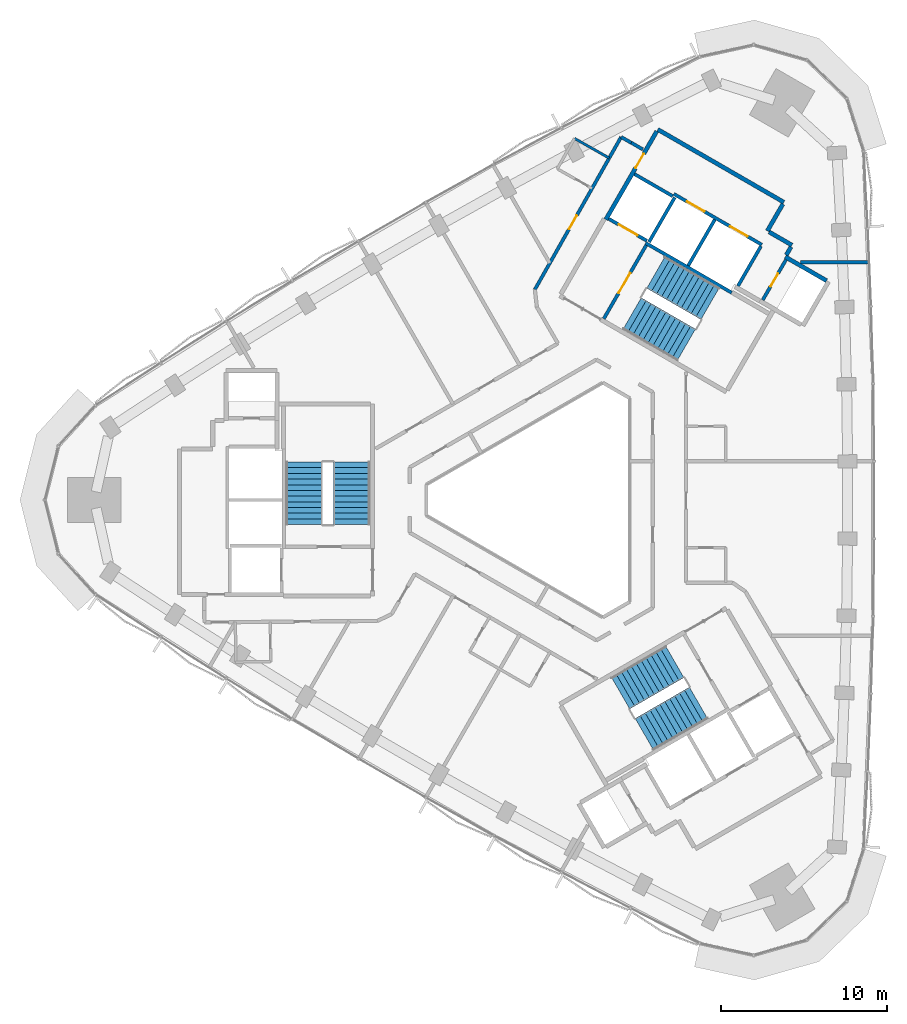
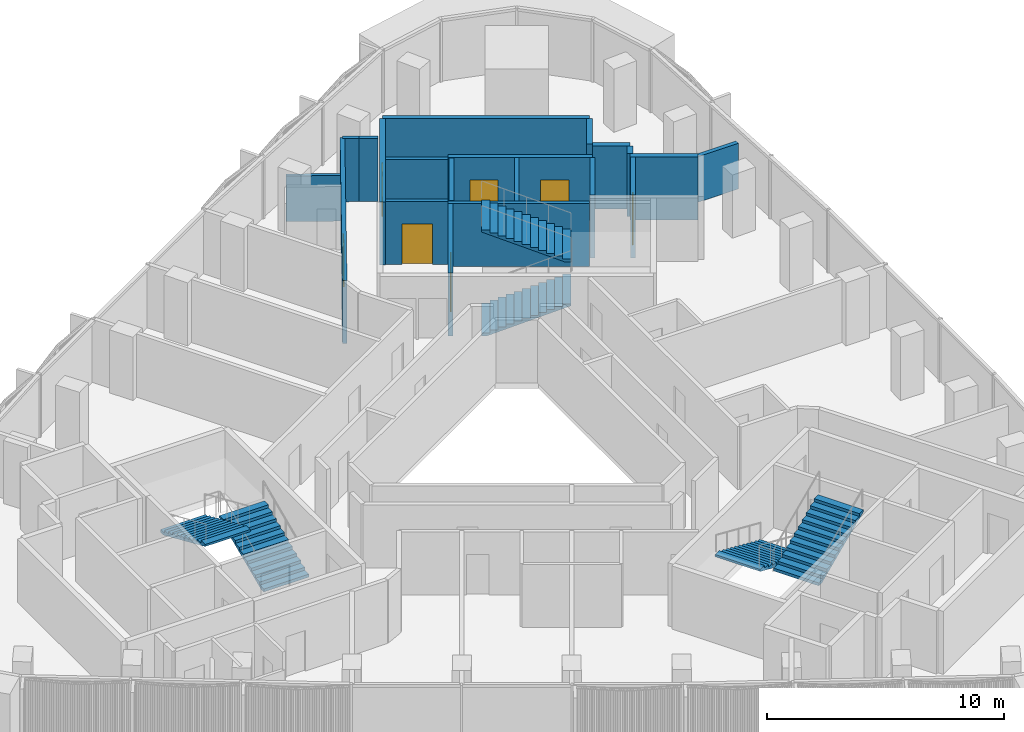
# One storey, part 10 of 13: 20 walls, 7 doors, 6 stair flights, 7 openings, 3 elements without a shape of their own.
"""IFC4 building model written with IfcOpenShell, lengths in metres."""

import ifcopenshell
import ifcopenshell.guid

model = None  # the IFC model being written
_history = None  # IfcOwnerHistory: only IFC2X3 demands one
_inside = {}  # id of a spatial element -> (the spatial element, [elements in it])
_under = {}  # id of a project, library or spatial element -> (it, [spatial elements below it])
_declared = {}  # id of a project -> (the project, [libraries it declares])
_typed = {}  # id of a type object -> (the type object, [elements of that type])
_made_of = {}  # id of a material, layer set ... -> (it, [elements and type objects made of it])


def new_model(schema):
    """Start an empty IFC model of exactly this schema.

    Asked for "IFC4X3", IfcOpenShell would pick the latest addendum, in which some entities
    have other attributes; the version numbers below select the first issue.
    IFC2X3 requires an IfcOwnerHistory on every rooted entity: one is made here for all.
    """
    global model, _history
    if schema == "IFC4X3":
        model = ifcopenshell.file(schema_version=(4, 3, 0, 0))
    else:
        model = ifcopenshell.file(schema=schema)
    _inside.clear()
    _under.clear()
    _declared.clear()
    _typed.clear()
    _made_of.clear()
    _history = None
    if model.schema == "IFC2X3":
        org = make("IfcOrganization", Name="unknown")
        user = make(
            "IfcPersonAndOrganization",
            ThePerson=make("IfcPerson", FamilyName="unknown"),
            TheOrganization=org,
        )
        app = make(
            "IfcApplication",
            ApplicationDeveloper=org,
            Version="unknown",
            ApplicationFullName="unknown",
            ApplicationIdentifier="unknown",
        )
        _history = make(
            "IfcOwnerHistory",
            OwningUser=user,
            OwningApplication=app,
            ChangeAction="ADDED",
            CreationDate=0,
        )
    return model


def make(cls, **values):
    """One entity of the class cls with the attributes given. An attribute that is None is left unset."""
    return model.create_entity(
        cls, **{name: value for name, value in values.items() if value is not None}
    )


def rooted(cls, **values):
    """An entity with a GlobalId (a new one), such as an element, a storey or a relation."""
    return make(cls, GlobalId=ifcopenshell.guid.new(), OwnerHistory=_history, **values)


def si_unit(unit_type, name, prefix=None):
    """IfcSIUnit, for example si_unit("LENGTHUNIT", "METRE", prefix="MILLI")."""
    return make("IfcSIUnit", UnitType=unit_type, Prefix=prefix, Name=name)


def assignment(units):
    """IfcUnitAssignment: the units of a project."""
    return None if units is None else make("IfcUnitAssignment", Units=units)


def point(xyz):
    """IfcCartesianPoint."""
    return None if xyz is None else make("IfcCartesianPoint", Coordinates=xyz)


def direction(xyz):
    """IfcDirection."""
    return None if xyz is None else make("IfcDirection", DirectionRatios=xyz)


def frame(location, z_axis=None, x_axis=None):
    """IfcAxis2Placement3D, a coordinate frame: its origin and axes. An axis left out is left unset."""
    return make(
        "IfcAxis2Placement3D",
        Location=point(location),
        Axis=direction(z_axis),
        RefDirection=direction(x_axis),
    )


def frame_2d(location, x_axis=None):
    """IfcAxis2Placement2D, a coordinate frame in the plane: its origin and x axis."""
    return make(
        "IfcAxis2Placement2D", Location=point(location), RefDirection=direction(x_axis)
    )


def origin():
    """The frame at (0, 0, 0) with its axes left unset."""
    return frame((0.0, 0.0, 0.0))


def place(relative_to, where):
    """IfcLocalPlacement: puts the frame where relative to a parent placement (None: the world)."""
    return make(
        "IfcLocalPlacement", PlacementRelTo=relative_to, RelativePlacement=where
    )


def context(
    kind, dimensions, precision=None, world=None, true_north=None, identifier=None
):
    """IfcGeometricRepresentationContext, for example the 3D "Model" context."""
    return make(
        "IfcGeometricRepresentationContext",
        ContextIdentifier=identifier,
        ContextType=kind,
        CoordinateSpaceDimension=dimensions,
        Precision=precision,
        WorldCoordinateSystem=world,
        TrueNorth=true_north,
    )


def subcontext(parent, identifier, kind, view, scale=None):
    """IfcGeometricRepresentationSubContext, for example "Body" below "Model"."""
    return make(
        "IfcGeometricRepresentationSubContext",
        ContextIdentifier=identifier,
        ContextType=kind,
        ParentContext=parent,
        TargetScale=scale,
        TargetView=view,
    )


def project(units=None, contexts=None):
    """IfcProject with its units and contexts."""
    return rooted(
        "IfcProject",
        Name="project",
        RepresentationContexts=contexts,
        UnitsInContext=assignment(units),
    )


def spatial(cls, under=None, at=None, **own):
    """A site, building, storey or space (cls), placed at a placement, below another one or the project."""
    s = rooted(cls, ObjectPlacement=at, **own)
    if under is not None:
        _under.setdefault(under.id(), (under, []))[1].append(s)
    return s


def polyline(points):
    """IfcPolyline through the points."""
    return make("IfcPolyline", Points=[point(p) for p in points])


def profile(cls, at=None, kind="AREA", **sizes):
    """A parametric profile (cls). Its sizes go by their IFC names, for example OverallWidth=200.0."""
    return make(cls, ProfileType=kind, Position=at, **sizes)


def rectangle(**sizes):
    """IfcRectangleProfileDef."""
    return profile("IfcRectangleProfileDef", **sizes)


def outline(outer, holes=None, kind="AREA"):
    """IfcArbitraryClosedProfileDef: a profile drawn as a closed curve; with holes, ...WithVoids."""
    if holes is None:
        return make("IfcArbitraryClosedProfileDef", ProfileType=kind, OuterCurve=outer)
    return make(
        "IfcArbitraryProfileDefWithVoids",
        ProfileType=kind,
        OuterCurve=outer,
        InnerCurves=holes,
    )


def extrude(swept, where, along, depth):
    """IfcExtrudedAreaSolid: the profile swept, set in the frame where, extruded along a direction by depth."""
    return make(
        "IfcExtrudedAreaSolid",
        SweptArea=swept,
        Position=where,
        ExtrudedDirection=direction(along),
        Depth=depth,
    )


def shape(context_of_items, identifier, shape_type, items):
    """IfcShapeRepresentation: the items that make up one representation, for example the "Body"."""
    return make(
        "IfcShapeRepresentation",
        ContextOfItems=context_of_items,
        RepresentationIdentifier=identifier,
        RepresentationType=shape_type,
        Items=items,
    )


def material(Name=None, Category=None):
    """IfcMaterial."""
    return make("IfcMaterial", Name=Name, Category=Category)


def layer(
    of_material, thickness, ventilated=None, Name=None, Category=None, Priority=None
):
    """IfcMaterialLayer: one layer of a wall or slab, of a material (None: an air gap)."""
    return make(
        "IfcMaterialLayer",
        Material=of_material,
        LayerThickness=thickness,
        IsVentilated=ventilated,
        Name=Name,
        Category=Category,
        Priority=Priority,
    )


def layer_set(layers, Name=None):
    """IfcMaterialLayerSet."""
    return make("IfcMaterialLayerSet", MaterialLayers=layers, LayerSetName=Name)


def made_of(thing, what):
    """Note that an element or type object is made of a material, layer set ...; save() writes the relation."""
    if what is not None:
        _made_of.setdefault(what.id(), (what, []))[1].append(thing)
    return thing


def type_object(cls, material=None, **own):
    """A type object (cls), such as IfcWallType, which elements share."""
    return made_of(rooted(cls, **own), material)


def element(
    cls,
    number,
    at=None,
    inside=None,
    cuts=None,
    type_object=None,
    material=None,
    context=None,
    identifier="Body",
    shape_type=None,
    held_by="IfcProductDefinitionShape",
    body=None,
    shapes=None,
    **own,
):
    """One element of the class cls, such as IfcWall. Its Tag is "e" and its number.

    at: its placement. inside: the storey or other place that contains it. cuts: it is an
    opening in that element (IfcRelVoidsElement). A single representation is given by context,
    identifier, shape_type and body (its items); several are given by shapes. held_by: the class
    of the entity that holds the representations. save() writes the other relations.
    """
    e = rooted(cls, Tag="e%d" % number, ObjectPlacement=at, **own)
    if body is not None:
        shapes = [shape(context, identifier, shape_type, body)]
    if shapes is not None:
        e.Representation = make(held_by, Representations=shapes)
    if inside is not None:
        _inside.setdefault(inside.id(), (inside, []))[1].append(e)
    if cuts is not None:
        rooted(
            "IfcRelVoidsElement", RelatingBuildingElement=cuts, RelatedOpeningElement=e
        )
    if type_object is not None:
        _typed.setdefault(type_object.id(), (type_object, []))[1].append(e)
    return made_of(e, material)


def fill(opening, filler):
    """IfcRelFillsElement: the door or window that sits in an opening."""
    return rooted(
        "IfcRelFillsElement",
        RelatingOpeningElement=opening,
        RelatedBuildingElement=filler,
    )


def aggregate(whole, parts):
    """IfcRelAggregates: a whole, such as a stair, and the parts it consists of."""
    return rooted("IfcRelAggregates", RelatingObject=whole, RelatedObjects=parts)


def save(model, path):
    """Write the relations noted so far, then the file.

    IfcRelAggregates (storeys below a building ...), IfcRelContainedInSpatialStructure (elements
    in a storey), IfcRelDefinesByType, IfcRelAssociatesMaterial and IfcRelDeclares: one each for
    every whole, place, type object, material and project.
    """
    for whole, parts in _under.values():
        aggregate(whole, parts)
    for where, things in _inside.values():
        rooted(
            "IfcRelContainedInSpatialStructure",
            RelatedElements=things,
            RelatingStructure=where,
        )
    for kind, things in _typed.values():
        rooted("IfcRelDefinesByType", RelatedObjects=things, RelatingType=kind)
    for what, things in _made_of.values():
        rooted("IfcRelAssociatesMaterial", RelatedObjects=things, RelatingMaterial=what)
    for by, libraries in _declared.values():
        rooted("IfcRelDeclares", RelatingContext=by, RelatedDefinitions=libraries)
    model.write(path)


model = new_model("IFC4")

# Units and contexts
model_context = context("Model", 3, precision=1e-05, world=origin(), true_north=direction((0.0, 1.0)))
body_context = subcontext(model_context, "Body", "Model", "MODEL_VIEW")
ifc_project = project(units=[si_unit("LENGTHUNIT", "METRE"), si_unit("AREAUNIT", "SQUARE_METRE"), si_unit("VOLUMEUNIT", "CUBIC_METRE"), si_unit("PLANEANGLEUNIT", "RADIAN"), si_unit("MASSUNIT", "GRAM", prefix="KILO")], contexts=[model_context])

# Site, building, storey
site_placement = place(None, origin())
site = spatial("IfcSite", under=ifc_project, at=site_placement, CompositionType="ELEMENT")
building_placement = place(site_placement, origin())
building = spatial("IfcBuilding", under=site, at=building_placement, Name="Tamra Quay Hotel Tower", CompositionType="ELEMENT")
storey_placement = place(building_placement, frame((0.0, 0.0, 182.800048828125)))
storey = spatial("IfcBuildingStorey", under=building, at=storey_placement, Name="L45", CompositionType="ELEMENT", Elevation=182.800048828125)

# Wall, openings, doors
ifc_material_1 = material(Name="Concrete M70", Category="concrete")
ifc_layer_1 = layer(ifc_material_1, 0.199951171875)
ifc_layer_set_1 = layer_set([ifc_layer_1], Name="Concrete M70 core wall 200")
wall_type_1 = type_object("IfcWallType", Name="Concrete M70 core wall 200", PredefinedType="SHEAR", material=ifc_layer_set_1)
wall_1_placement = place(storey_placement, frame((12.552490234375, 15.341552734375, 0.0), z_axis=(0.0, 0.0, 1.0), x_axis=(-0.866030299012, 0.499991521122, 0.0)))
wall_1 = element("IfcWall", 1, at=wall_1_placement, inside=storey, type_object=wall_type_1, Name="CW2", PredefinedType="SHEAR", context=body_context, shape_type="SweptSolid", body=[
    extrude(rectangle(XDim=6.10009765625, YDim=0.199951171875, at=frame_2d((3.050048828125, 0.0))), origin(), (0.0, 0.0, 1.0), 3.25),
])
opening_1_placement = place(wall_1_placement, frame((1.0, 0.0, 0.0)))
opening_1 = element("IfcOpeningElement", 2, at=opening_1_placement, cuts=wall_1, Name="Opening LD", PredefinedType="OPENING", context=body_context, shape_type="SweptSolid", body=[
    extrude(rectangle(XDim=1.199951171875, YDim=2.10009765625, at=frame_2d((0.60009765625, 1.050048828125))), frame((0.0, 0.10986328125, 0.0), z_axis=(0.0, -1.0, 0.0), x_axis=(1.0, 0.0, 0.0)), (0.0, 0.0, 1.0), 0.219970703125),
])
opening_2_placement = place(wall_1_placement, frame((3.982177734375, 0.0, 0.0)))
opening_2 = element("IfcOpeningElement", 3, at=opening_2_placement, cuts=wall_1, Name="Opening LD", PredefinedType="OPENING", context=body_context, shape_type="SweptSolid", body=[
    extrude(rectangle(XDim=1.199951171875, YDim=2.10009765625, at=frame_2d((0.60009765625, 1.050048828125))), frame((0.0, 0.10986328125, 0.0), z_axis=(0.0, -1.0, 0.0), x_axis=(1.0, 0.0, 0.0)), (0.0, 0.0, 1.0), 0.219970703125),
])
ifc_material_2 = material(Name="Landing door LD 1200 double door sliding")
door_type_1 = type_object("IfcDoorType", Name="Landing door LD 1200 double door sliding", OperationType="DOUBLE_DOOR_SLIDING", PredefinedType="DOOR", material=ifc_material_2)
door_1_placement = place(opening_1_placement, origin())
door_1 = element("IfcDoor", 4, at=door_1_placement, inside=storey, type_object=door_type_1, Name="LD", OperationType="DOUBLE_DOOR_SLIDING", OverallHeight=2.10009765625, OverallWidth=1.199951171875, PredefinedType="DOOR", context=body_context, shape_type="SweptSolid", body=[
    extrude(rectangle(XDim=1.199951171875, YDim=2.10009765625, at=frame_2d((0.60009765625, 1.050048828125))), frame((0.0, 0.02490234375, 0.0), z_axis=(0.0, -1.0, 0.0), x_axis=(1.0, 0.0, 0.0)), (0.0, 0.0, 1.0), 0.050048828125),
])
fill(opening_1, door_1)
door_2_placement = place(opening_2_placement, origin())
door_2 = element("IfcDoor", 5, at=door_2_placement, inside=storey, type_object=door_type_1, Name="LD", OperationType="DOUBLE_DOOR_SLIDING", OverallHeight=2.10009765625, OverallWidth=1.199951171875, PredefinedType="DOOR", context=body_context, shape_type="SweptSolid", body=[
    extrude(rectangle(XDim=1.199951171875, YDim=2.10009765625, at=frame_2d((0.60009765625, 1.050048828125))), frame((0.0, 0.02490234375, 0.0), z_axis=(0.0, -1.0, 0.0), x_axis=(1.0, 0.0, 0.0)), (0.0, 0.0, 1.0), 0.050048828125),
])
fill(opening_2, door_2)

# Wall
wall_2_placement = place(storey_placement, frame((10.7431640625, 12.4599609375, 0.0), z_axis=(0.0, 0.0, 1.0), x_axis=(-0.866018848283, 0.500011354289, 0.0)))
element("IfcWall", 6, at=wall_2_placement, inside=storey, type_object=wall_type_1, Name="CW2", PredefinedType="SHEAR", context=body_context, shape_type="SweptSolid", body=[
    extrude(rectangle(XDim=5.973876953125, YDim=0.199951171875, at=frame_2d((2.98681640625, 0.0))), origin(), (0.0, 0.0, 1.0), 3.25),
])

# Wall, opening, door
wall_3_placement = place(storey_placement, frame((3.056640625, 10.89453125, 0.0), z_axis=(0.0, 0.0, 1.0), x_axis=(0.500027839223, 0.866009330205, 0.0)))
wall_3 = element("IfcWall", 7, at=wall_3_placement, inside=storey, type_object=wall_type_1, Name="CW2", PredefinedType="SHEAR", context=body_context, shape_type="SweptSolid", body=[
    extrude(rectangle(XDim=5.097900390625, YDim=0.199951171875, at=frame_2d((2.548828125, 0.0))), origin(), (0.0, 0.0, 1.0), 3.25),
])
opening_3_placement = place(wall_3_placement, frame((1.77392578125, 0.0, 0.0)))
opening_3 = element("IfcOpeningElement", 8, at=opening_3_placement, cuts=wall_3, Name="Opening FD2", PredefinedType="OPENING", context=body_context, shape_type="SweptSolid", body=[
    extrude(rectangle(XDim=1.39990234375, YDim=2.10009765625, at=frame_2d((0.699951171875, 1.050048828125))), frame((0.0, 0.10986328125, 0.0), z_axis=(0.0, -1.0, 0.0), x_axis=(1.0, 0.0, 0.0)), (0.0, 0.0, 1.0), 0.219970703125),
])
ifc_material_3 = material(Name="Core door FD2 1400x2100 RH")
door_type_2 = type_object("IfcDoorType", Name="Core door FD2 1400x2100 RH", OperationType="NOTDEFINED", PredefinedType="DOOR", material=ifc_material_3)
door_3_placement = place(opening_3_placement, origin())
door_3 = element("IfcDoor", 9, at=door_3_placement, inside=storey, type_object=door_type_2, Name="FD2", OperationType="SINGLE_SWING_RIGHT", OverallHeight=2.10009765625, OverallWidth=1.39990234375, PredefinedType="DOOR", context=body_context, shape_type="SweptSolid", body=[
    extrude(rectangle(XDim=1.39990234375, YDim=2.10009765625, at=frame_2d((0.699951171875, 1.050048828125))), frame((0.0, 0.02490234375, 0.0), z_axis=(0.0, -1.0, 0.0), x_axis=(1.0, 0.0, 0.0)), (0.0, 0.0, 1.0), 0.050048828125),
])
fill(opening_3, door_3)

# Wall
wall_4_placement = place(storey_placement, frame((8.131591796875, 14.08447265625, 0.0), z_axis=(0.0, 0.0, 1.0), x_axis=(0.500030834389, 0.86600760081, 0.0)))
element("IfcWall", 10, at=wall_4_placement, inside=storey, type_object=wall_type_1, Name="CW2", PredefinedType="SHEAR", context=body_context, shape_type="SweptSolid", body=[
    extrude(rectangle(XDim=3.197998046875, YDim=0.199951171875, at=frame_2d((1.59912109375, 0.0))), origin(), (0.0, 0.0, 1.0), 3.25),
])

# Wall, opening, door
wall_5_placement = place(storey_placement, frame((14.0078125, 14.442138671875, 0.0), z_axis=(0.0, 0.0, 1.0), x_axis=(-0.499986818241, -0.866033014143, 0.0)))
wall_5 = element("IfcWall", 11, at=wall_5_placement, inside=storey, type_object=wall_type_1, Name="CW2", PredefinedType="SHEAR", context=body_context, shape_type="SweptSolid", body=[
    extrude(rectangle(XDim=2.7978515625, YDim=0.199951171875, at=frame_2d((1.39892578125, 0.0))), origin(), (0.0, 0.0, 1.0), 3.25),
])
opening_4_placement = place(wall_5_placement, frame((0.948974609375, 0.0, 0.0)))
opening_4 = element("IfcOpeningElement", 12, at=opening_4_placement, cuts=wall_5, Name="Opening D1", PredefinedType="OPENING", context=body_context, shape_type="SweptSolid", body=[
    extrude(rectangle(XDim=0.89990234375, YDim=2.10009765625, at=frame_2d((0.449951171875, 1.050048828125))), frame((0.0, 0.10986328125, 0.0), z_axis=(0.0, -1.0, 0.0), x_axis=(1.0, 0.0, 0.0)), (0.0, 0.0, 1.0), 0.219970703125),
])
ifc_material_4 = material(Name="Core door D1 900x2100 LH")
door_type_3 = type_object("IfcDoorType", Name="Core door D1 900x2100 LH", OperationType="NOTDEFINED", PredefinedType="DOOR", material=ifc_material_4)
door_4_placement = place(opening_4_placement, origin())
door_4 = element("IfcDoor", 13, at=door_4_placement, inside=storey, type_object=door_type_3, Name="D1", OperationType="SINGLE_SWING_LEFT", OverallHeight=2.10009765625, OverallWidth=0.89990234375, PredefinedType="DOOR", context=body_context, shape_type="SweptSolid", body=[
    extrude(rectangle(XDim=0.89990234375, YDim=2.10009765625, at=frame_2d((0.449951171875, 1.050048828125))), frame((0.0, 0.02490234375, 0.0), z_axis=(0.0, -1.0, 0.0), x_axis=(1.0, 0.0, 0.0)), (0.0, 0.0, 1.0), 0.050048828125),
])
fill(opening_4, door_4)

# Walls
wall_6_placement = place(storey_placement, frame((12.50244140625, 15.2548828125, 0.0), z_axis=(0.0, 0.0, 1.0), x_axis=(-0.499965018551, -0.866045599391, 0.0)))
element("IfcWall", 14, at=wall_6_placement, inside=storey, type_object=wall_type_1, Name="CW2", PredefinedType="SHEAR", context=body_context, shape_type="SweptSolid", body=[
    extrude(rectangle(XDim=2.759033203125, YDim=0.199951171875, at=frame_2d((1.37939453125, 0.0))), origin(), (0.0, 0.0, 1.0), 3.25),
])
wall_7_placement = place(storey_placement, frame((7.324462890625, 18.1865234375, 0.0), z_axis=(0.0, 0.0, 1.0), x_axis=(-0.499967891604, -0.866043940782, 0.0)))
element("IfcWall", 15, at=wall_7_placement, inside=storey, type_object=wall_type_1, Name="CW2", PredefinedType="SHEAR", context=body_context, shape_type="SweptSolid", body=[
    extrude(rectangle(XDim=3.099853515625, YDim=0.199951171875, at=frame_2d((1.5498046875, 0.0))), origin(), (0.0, 0.0, 1.0), 3.25),
])

# Wall, opening, door
wall_8_placement = place(storey_placement, frame((5.646240234375, 15.575927734375, 0.0), z_axis=(0.0, 0.0, 1.0), x_axis=(-0.866018407898, 0.500012117035, 0.0)))
wall_8 = element("IfcWall", 16, at=wall_8_placement, inside=storey, type_object=wall_type_1, Name="CW2", PredefinedType="SHEAR", context=body_context, shape_type="SweptSolid", body=[
    extrude(rectangle(XDim=2.65087890625, YDim=0.199951171875, at=frame_2d((1.325439453125, 0.0))), origin(), (0.0, 0.0, 1.0), 3.25),
])
opening_5_placement = place(wall_8_placement, frame((0.65185546875, 0.0, 0.0)))
opening_5 = element("IfcOpeningElement", 17, at=opening_5_placement, cuts=wall_8, Name="Opening LD", PredefinedType="OPENING", context=body_context, shape_type="SweptSolid", body=[
    extrude(rectangle(XDim=1.300048828125, YDim=2.10009765625, at=frame_2d((0.64990234375, 1.050048828125))), frame((0.0, 0.10986328125, 0.0), z_axis=(0.0, -1.0, 0.0), x_axis=(1.0, 0.0, 0.0)), (0.0, 0.0, 1.0), 0.219970703125),
])
ifc_material_5 = material(Name="Landing door LD 1300 sliding to right")
door_type_4 = type_object("IfcDoorType", Name="Landing door LD 1300 sliding to right", OperationType="NOTDEFINED", PredefinedType="DOOR", material=ifc_material_5)
door_5_placement = place(opening_5_placement, origin())
door_5 = element("IfcDoor", 18, at=door_5_placement, inside=storey, type_object=door_type_4, Name="LD", OperationType="SLIDING_TO_RIGHT", OverallHeight=2.10009765625, OverallWidth=1.300048828125, PredefinedType="DOOR", context=body_context, shape_type="SweptSolid", body=[
    extrude(rectangle(XDim=1.300048828125, YDim=2.10009765625, at=frame_2d((0.64990234375, 1.050048828125))), frame((0.0, 0.02490234375, 0.0), z_axis=(0.0, -1.0, 0.0), x_axis=(1.0, 0.0, 0.0)), (0.0, 0.0, 1.0), 0.050048828125),
])
fill(opening_5, door_5)

# Walls
wall_9_placement = place(storey_placement, frame((7.1962890625, 18.260498046875, 0.0), z_axis=(0.0, 0.0, 1.0), x_axis=(-0.866018407898, 0.500012117035, 0.0)))
element("IfcWall", 19, at=wall_9_placement, inside=storey, type_object=wall_type_1, Name="CW2", PredefinedType="SHEAR", context=body_context, shape_type="SweptSolid", body=[
    extrude(rectangle(XDim=2.65087890625, YDim=0.199951171875, at=frame_2d((1.325439453125, 0.0))), origin(), (0.0, 0.0, 1.0), 3.25),
])
ifc_layer_2 = layer(ifc_material_1, 0.25)
ifc_layer_set_2 = layer_set([ifc_layer_2], Name="Concrete M70 core wall 250")
wall_type_2 = type_object("IfcWallType", Name="Concrete M70 core wall 250", PredefinedType="SHEAR", material=ifc_layer_set_2)
wall_10_placement = place(storey_placement, frame((6.303955078125, 22.268798828125, 0.0), z_axis=(0.0, 0.0, 1.0), x_axis=(0.866022959057, -0.500004234368, 0.0)))
element("IfcWall", 20, at=wall_10_placement, inside=storey, type_object=wall_type_2, Name="CW1", PredefinedType="SHEAR", context=body_context, shape_type="SweptSolid", body=[
    extrude(rectangle(XDim=8.75, YDim=0.25, at=frame_2d((4.375, 0.0))), origin(), (0.0, 0.0, 1.0), 3.25),
])

# Wall, opening, door
wall_11_placement = place(storey_placement, frame((3.178955078125, 16.856201171875, 0.0), z_axis=(0.0, 0.0, 1.0), x_axis=(0.500001955336, 0.866024274868, 0.0)))
wall_11 = element("IfcWall", 21, at=wall_11_placement, inside=storey, type_object=wall_type_2, Name="CW1", PredefinedType="SHEAR", context=body_context, shape_type="SweptSolid", body=[
    extrude(rectangle(XDim=6.12451171875, YDim=0.25, at=frame_2d((3.062255859375, 0.0))), origin(), (0.0, 0.0, 1.0), 3.25),
])
opening_6_placement = place(wall_11_placement, frame((3.562744140625, 0.0, 0.0)))
opening_6 = element("IfcOpeningElement", 22, at=opening_6_placement, cuts=wall_11, Name="Opening FD3", PredefinedType="OPENING", context=body_context, shape_type="SweptSolid", body=[
    extrude(rectangle(XDim=1.0, YDim=2.10009765625, at=frame_2d((0.5, 1.050048828125))), frame((0.0, 0.135009765625, 0.0), z_axis=(0.0, -1.0, 0.0), x_axis=(1.0, 0.0, 0.0)), (0.0, 0.0, 1.0), 0.27001953125),
])
ifc_material_6 = material(Name="Core door FD3 1000x2100 LH")
door_type_5 = type_object("IfcDoorType", Name="Core door FD3 1000x2100 LH", OperationType="NOTDEFINED", PredefinedType="DOOR", material=ifc_material_6)
door_6_placement = place(opening_6_placement, origin())
door_6 = element("IfcDoor", 23, at=door_6_placement, inside=storey, type_object=door_type_5, Name="FD3", OperationType="SINGLE_SWING_LEFT", OverallHeight=2.10009765625, OverallWidth=1.0, PredefinedType="DOOR", context=body_context, shape_type="SweptSolid", body=[
    extrude(rectangle(XDim=1.0, YDim=2.10009765625, at=frame_2d((0.5, 1.050048828125))), frame((0.0, 0.02490234375, 0.0), z_axis=(0.0, -1.0, 0.0), x_axis=(1.0, 0.0, 0.0)), (0.0, 0.0, 1.0), 0.050048828125),
])
fill(opening_6, door_6)

# Walls
wall_12_placement = place(storey_placement, frame((13.962646484375, 14.61376953125, 0.0), z_axis=(0.0, 0.0, 1.0), x_axis=(0.866042235819, -0.499970844928, 0.0)))
element("IfcWall", 24, at=wall_12_placement, inside=storey, type_object=wall_type_2, Name="CW1", PredefinedType="SHEAR", context=body_context, shape_type="SweptSolid", body=[
    extrude(rectangle(XDim=2.864501953125, YDim=0.25, at=frame_2d((1.43212890625, 0.0))), origin(), (0.0, 0.0, 1.0), 3.25),
])
wall_13_placement = place(storey_placement, frame((13.819091796875, 17.78515625, 0.0), z_axis=(0.0, 0.0, 1.0), x_axis=(-0.500039802285, -0.866002422705, 0.0)))
element("IfcWall", 25, at=wall_13_placement, inside=storey, type_object=wall_type_2, Name="CW1", PredefinedType="SHEAR", context=body_context, shape_type="SweptSolid", body=[
    extrude(rectangle(XDim=1.864501953125, YDim=0.25, at=frame_2d((0.93212890625, 0.0))), origin(), (0.0, 0.0, 1.0), 3.25),
])
wall_14_placement = place(storey_placement, frame((12.995361328125, 16.107666015625, 0.0), z_axis=(0.0, 0.0, 1.0), x_axis=(0.866044474677, -0.49996696679, 0.0)))
element("IfcWall", 26, at=wall_14_placement, inside=storey, type_object=wall_type_2, Name="CW1", PredefinedType="SHEAR", context=body_context, shape_type="SweptSolid", body=[
    extrude(rectangle(XDim=1.58447265625, YDim=0.25, at=frame_2d((0.792236328125, 0.0))), origin(), (0.0, 0.0, 1.0), 3.25),
])
wall_15_placement = place(storey_placement, frame((14.304931640625, 15.206787109375, 0.0), z_axis=(0.0, 0.0, 1.0), x_axis=(-0.499848422343, -0.866112899501, 0.0)))
element("IfcWall", 27, at=wall_15_placement, inside=storey, type_object=wall_type_2, Name="CW1", PredefinedType="SHEAR", context=body_context, shape_type="SweptSolid", body=[
    extrude(rectangle(XDim=0.559326171875, YDim=0.25, at=frame_2d((0.27978515625, 0.0))), origin(), (0.0, 0.0, 1.0), 3.25),
])

# Wall, opening, door
ifc_material_7 = material(Name="Partition corridor wall")
ifc_layer_3 = layer(ifc_material_7, 0.199951171875)
ifc_layer_set_3 = layer_set([ifc_layer_3], Name="Partition corridor wall")
wall_type_3 = type_object("IfcWallType", Name="Partition corridor wall", PredefinedType="PARTITIONING", material=ifc_layer_set_3)
wall_16_placement = place(storey_placement, frame((-1.08447265625, 12.649658203125, 0.0), z_axis=(0.0, 0.0, 1.0), x_axis=(0.492271892014, 0.870441488173, 0.0)))
wall_16 = element("IfcWall", 28, at=wall_16_placement, inside=storey, type_object=wall_type_3, Name="W-C", PredefinedType="PARTITIONING", context=body_context, shape_type="SweptSolid", body=[
    extrude(rectangle(XDim=10.531494140625, YDim=0.199951171875, at=frame_2d((5.265625, 0.0))), origin(), (0.0, 0.0, 1.0), 3.25),
])
opening_7_placement = place(wall_16_placement, frame((4.160888671875, 0.0, 0.0)))
opening_7 = element("IfcOpeningElement", 29, at=opening_7_placement, cuts=wall_16, Name="Opening L45-D001", PredefinedType="OPENING", context=body_context, shape_type="SweptSolid", body=[
    extrude(rectangle(XDim=0.949951171875, YDim=2.10009765625, at=frame_2d((0.47509765625, 1.050048828125))), frame((0.0, 0.10986328125, 0.0), z_axis=(0.0, -1.0, 0.0), x_axis=(1.0, 0.0, 0.0)), (0.0, 0.0, 1.0), 0.219970703125),
])
ifc_material_8 = material(Name="Door guest room 950x2100")
door_type_6 = type_object("IfcDoorType", Name="Door guest room 950x2100", OperationType="NOTDEFINED", PredefinedType="DOOR", material=ifc_material_8)
door_7_placement = place(opening_7_placement, frame((0.949951171875, 0.0, 0.0), z_axis=(0.0, 0.0, 1.0), x_axis=(-1.0, 0.0, 0.0)))
door_7 = element("IfcDoor", 30, at=door_7_placement, inside=storey, type_object=door_type_6, Name="L45-D001", OperationType="SINGLE_SWING_LEFT", OverallHeight=2.10009765625, OverallWidth=0.949951171875, PredefinedType="DOOR", context=body_context, shape_type="SweptSolid", body=[
    extrude(rectangle(XDim=0.949951171875, YDim=2.10009765625, at=frame_2d((0.47509765625, 1.050048828125))), frame((0.0, 0.02490234375, 0.0), z_axis=(0.0, -1.0, 0.0), x_axis=(1.0, 0.0, 0.0)), (0.0, 0.0, 1.0), 0.050048828125),
])
fill(opening_7, door_7)

# Walls
wall_17_placement = place(storey_placement, frame((4.10205078125, 21.81591796875, 0.0), z_axis=(0.0, 0.0, 1.0), x_axis=(0.867664502326, -0.497150189986, 0.0)))
element("IfcWall", 31, at=wall_17_placement, inside=storey, type_object=wall_type_3, Name="W-C", PredefinedType="PARTITIONING", context=body_context, shape_type="SweptSolid", body=[
    extrude(rectangle(XDim=0.70166015625, YDim=0.199951171875, at=frame_2d((0.350830078125, 0.0))), origin(), (0.0, 0.0, 1.0), 3.25),
])
wall_18_placement = place(storey_placement, frame((4.716064453125, 21.468017578125, 0.0), z_axis=(0.0, 0.0, 1.0), x_axis=(0.865912682783, -0.500195187698, 0.0)))
element("IfcWall", 32, at=wall_18_placement, inside=storey, type_object=wall_type_3, Name="W-C", PredefinedType="PARTITIONING", context=body_context, shape_type="SweptSolid", body=[
    extrude(rectangle(XDim=0.789794921875, YDim=0.199951171875, at=frame_2d((0.39501953125, 0.0))), origin(), (0.0, 0.0, 1.0), 3.25),
])
ifc_material_9 = material(Name="Partition en-suite wall")
ifc_layer_4 = layer(ifc_material_9, 0.14990234375)
ifc_layer_set_4 = layer_set([ifc_layer_4], Name="Partition en-suite wall")
wall_type_4 = type_object("IfcWallType", Name="Partition en-suite wall", PredefinedType="PARTITIONING", material=ifc_layer_set_4)
wall_19_placement = place(storey_placement, frame((1.298095703125, 21.72998046875, 0.0), z_axis=(0.0, 0.0, 1.0), x_axis=(0.870321906411, -0.492483278113, 0.0)))
element("IfcWall", 33, at=wall_19_placement, inside=storey, type_object=wall_type_4, Name="W-E", PredefinedType="PARTITIONING", context=body_context, shape_type="SweptSolid", body=[
    extrude(rectangle(XDim=2.39794921875, YDim=0.14990234375, at=frame_2d((1.198974609375, 0.0))), origin(), (0.0, 0.0, 1.0), 2.349853515625),
])
ifc_material_10 = material(Name="Partition party wall")
ifc_layer_5 = layer(ifc_material_10, 0.199951171875)
ifc_layer_set_5 = layer_set([ifc_layer_5], Name="Partition party wall")
wall_type_5 = type_object("IfcWallType", Name="Partition party wall", PredefinedType="PARTITIONING", material=ifc_layer_set_5)
wall_20_placement = place(storey_placement, frame((14.891845703125, 14.291015625, 0.0), z_axis=(0.0, 0.0, 1.0), x_axis=(1.0, 0.0, 0.0)))
element("IfcWall", 34, at=wall_20_placement, inside=storey, type_object=wall_type_5, Name="W-P", PredefinedType="PARTITIONING", context=body_context, shape_type="SweptSolid", body=[
    extrude(rectangle(XDim=4.110595703125, YDim=0.199951171875, at=frame_2d((2.05517578125, 0.0))), origin(), (0.0, 0.0, 1.0), 2.349853515625),
])

# Stair, stair flights
ifc_material_11 = material(Name="Exit stair 2200 24 risers 150.0 going 342")
stair_type = type_object("IfcStairType", Name="Exit stair 2200 24 risers 150.0 going 342", PredefinedType="HALF_TURN_STAIR", material=ifc_material_11)
stair_1_placement = place(storey_placement, origin())
stair_1 = element("IfcStair", 35, at=stair_1_placement, inside=storey, type_object=stair_type, Name="L45 Exit stair ST3", PredefinedType="HALF_TURN_STAIR")
ifc_material_12 = material(Name="Exit stair flight 2200 12 risers 150.0")
stair_flight_type = type_object("IfcStairFlightType", Name="Exit stair flight 2200 12 risers 150.0", PredefinedType="STRAIGHT", material=ifc_material_12)
stair_flight_1_placement = place(storey_placement, frame((-12.082275390625, -1.47998046875, 0.0), z_axis=(0.0, 0.0, 1.0), x_axis=(0.0, 1.0, 0.0)))
stair_flight_1 = element("IfcStairFlight", 36, at=stair_flight_1_placement, type_object=stair_flight_type, Name="ST3 flight 1", NumberOfRisers=12, NumberOfTreads=11, PredefinedType="STRAIGHT", RiserHeight=0.15, TreadLength=0.342, context=body_context, shape_type="SweptSolid", body=[
    extrude(outline(polyline([(0.0, 0.0), (0.0, 0.14990234375), (0.342041015625, 0.14990234375), (0.342041015625, 0.300048828125), (0.68408203125, 0.300048828125), (0.68408203125, 0.449951171875), (1.02587890625, 0.449951171875), (1.02587890625, 0.60009765625), (1.367919921875, 0.60009765625), (1.367919921875, 0.75), (1.7099609375, 0.75), (1.7099609375, 0.89990234375), (2.052001953125, 0.89990234375), (2.052001953125, 1.050048828125), (2.39404296875, 1.050048828125), (2.39404296875, 1.199951171875), (2.736083984375, 1.199951171875), (2.736083984375, 1.35009765625), (3.077880859375, 1.35009765625), (3.077880859375, 1.5), (3.419921875, 1.5), (3.419921875, 1.64990234375), (3.761962890625, 1.64990234375), (3.761962890625, 1.800048828125), (3.761962890625, 1.540771484375), (0.249267578125, 0.0), (0.0, 0.0)])), frame((0.0, 1.10009765625, 0.0), z_axis=(0.0, -1.0, 0.0), x_axis=(1.0, 0.0, 0.0)), (0.0, 0.0, 1.0), 2.199951171875),
])
stair_flight_2_placement = place(storey_placement, frame((-14.94140625, 2.281982421875, 1.800048828125), z_axis=(0.0, 0.0, 1.0), x_axis=(0.0, -1.0, 0.0)))
stair_flight_2 = element("IfcStairFlight", 37, at=stair_flight_2_placement, type_object=stair_flight_type, Name="ST3 flight 2", NumberOfRisers=12, NumberOfTreads=11, PredefinedType="STRAIGHT", RiserHeight=0.15, TreadLength=0.342, context=body_context, shape_type="SweptSolid", body=[
    extrude(outline(polyline([(0.0, 0.0), (0.0, 0.14990234375), (0.342041015625, 0.14990234375), (0.342041015625, 0.300048828125), (0.68408203125, 0.300048828125), (0.68408203125, 0.449951171875), (1.02587890625, 0.449951171875), (1.02587890625, 0.60009765625), (1.367919921875, 0.60009765625), (1.367919921875, 0.75), (1.7099609375, 0.75), (1.7099609375, 0.89990234375), (2.052001953125, 0.89990234375), (2.052001953125, 1.050048828125), (2.39404296875, 1.050048828125), (2.39404296875, 1.199951171875), (2.736083984375, 1.199951171875), (2.736083984375, 1.35009765625), (3.077880859375, 1.35009765625), (3.077880859375, 1.5), (3.419921875, 1.5), (3.419921875, 1.64990234375), (3.761962890625, 1.64990234375), (3.761962890625, 1.800048828125), (3.761962890625, 1.540771484375), (0.249267578125, 0.0), (0.0, 0.0)])), frame((0.0, 1.10009765625, 0.0), z_axis=(0.0, -1.0, 0.0), x_axis=(1.0, 0.0, 0.0)), (0.0, 0.0, 1.0), 2.199951171875),
])
aggregate(stair_1, [stair_flight_1, stair_flight_2])

stair_2_placement = place(storey_placement, origin())
stair_2 = element("IfcStair", 38, at=stair_2_placement, inside=storey, type_object=stair_type, Name="L45 Exit stair ST1", PredefinedType="HALF_TURN_STAIR")
stair_flight_3_placement = place(storey_placement, frame((4.75927734375, 11.20361328125, 0.0), z_axis=(0.0, 0.0, 1.0), x_axis=(0.866025403784, -0.5, 0.0)))
stair_flight_3 = element("IfcStairFlight", 39, at=stair_flight_3_placement, type_object=stair_flight_type, Name="ST1 flight 1", NumberOfRisers=12, NumberOfTreads=11, PredefinedType="STRAIGHT", RiserHeight=0.15, TreadLength=0.342, context=body_context, shape_type="SweptSolid", body=[
    extrude(outline(polyline([(0.0, 0.0), (0.0, 0.14990234375), (0.342041015625, 0.14990234375), (0.342041015625, 0.300048828125), (0.68408203125, 0.300048828125), (0.68408203125, 0.449951171875), (1.02587890625, 0.449951171875), (1.02587890625, 0.60009765625), (1.367919921875, 0.60009765625), (1.367919921875, 0.75), (1.7099609375, 0.75), (1.7099609375, 0.89990234375), (2.052001953125, 0.89990234375), (2.052001953125, 1.050048828125), (2.39404296875, 1.050048828125), (2.39404296875, 1.199951171875), (2.736083984375, 1.199951171875), (2.736083984375, 1.35009765625), (3.077880859375, 1.35009765625), (3.077880859375, 1.5), (3.419921875, 1.5), (3.419921875, 1.64990234375), (3.761962890625, 1.64990234375), (3.761962890625, 1.800048828125), (3.761962890625, 1.540771484375), (0.249267578125, 0.0), (0.0, 0.0)])), frame((0.0, 1.10009765625, 0.0), z_axis=(0.0, -1.0, 0.0), x_axis=(1.0, 0.0, 0.0)), (0.0, 0.0, 1.0), 2.199951171875),
])
stair_flight_4_placement = place(storey_placement, frame((9.44677734375, 11.798583984375, 1.800048828125), z_axis=(0.0, 0.0, 1.0), x_axis=(-0.866025403784, 0.5, 0.0)))
stair_flight_4 = element("IfcStairFlight", 40, at=stair_flight_4_placement, type_object=stair_flight_type, Name="ST1 flight 2", NumberOfRisers=12, NumberOfTreads=11, PredefinedType="STRAIGHT", RiserHeight=0.15, TreadLength=0.342, context=body_context, shape_type="SweptSolid", body=[
    extrude(outline(polyline([(0.0, 0.0), (0.0, 0.14990234375), (0.342041015625, 0.14990234375), (0.342041015625, 0.300048828125), (0.68408203125, 0.300048828125), (0.68408203125, 0.449951171875), (1.02587890625, 0.449951171875), (1.02587890625, 0.60009765625), (1.367919921875, 0.60009765625), (1.367919921875, 0.75), (1.7099609375, 0.75), (1.7099609375, 0.89990234375), (2.052001953125, 0.89990234375), (2.052001953125, 1.050048828125), (2.39404296875, 1.050048828125), (2.39404296875, 1.199951171875), (2.736083984375, 1.199951171875), (2.736083984375, 1.35009765625), (3.077880859375, 1.35009765625), (3.077880859375, 1.5), (3.419921875, 1.5), (3.419921875, 1.64990234375), (3.761962890625, 1.64990234375), (3.761962890625, 1.800048828125), (3.761962890625, 1.540771484375), (0.249267578125, 0.0), (0.0, 0.0)])), frame((0.0, 1.10009765625, 0.0), z_axis=(0.0, -1.0, 0.0), x_axis=(1.0, 0.0, 0.0)), (0.0, 0.0, 1.0), 2.199951171875),
])
aggregate(stair_2, [stair_flight_3, stair_flight_4])

stair_3_placement = place(storey_placement, origin())
stair_3 = element("IfcStair", 41, at=stair_3_placement, inside=storey, type_object=stair_type, Name="L45 Exit stair ST2", PredefinedType="HALF_TURN_STAIR")
stair_flight_5_placement = place(storey_placement, frame((7.322998046875, -9.7236328125, 0.0), z_axis=(0.0, 0.0, 1.0), x_axis=(-0.866025403784, -0.5, 0.0)))
stair_flight_5 = element("IfcStairFlight", 42, at=stair_flight_5_placement, type_object=stair_flight_type, Name="ST2 flight 1", NumberOfRisers=12, NumberOfTreads=11, PredefinedType="STRAIGHT", RiserHeight=0.15, TreadLength=0.342, context=body_context, shape_type="SweptSolid", body=[
    extrude(outline(polyline([(0.0, 0.0), (0.0, 0.14990234375), (0.342041015625, 0.14990234375), (0.342041015625, 0.300048828125), (0.68408203125, 0.300048828125), (0.68408203125, 0.449951171875), (1.02587890625, 0.449951171875), (1.02587890625, 0.60009765625), (1.367919921875, 0.60009765625), (1.367919921875, 0.75), (1.7099609375, 0.75), (1.7099609375, 0.89990234375), (2.052001953125, 0.89990234375), (2.052001953125, 1.050048828125), (2.39404296875, 1.050048828125), (2.39404296875, 1.199951171875), (2.736083984375, 1.199951171875), (2.736083984375, 1.35009765625), (3.077880859375, 1.35009765625), (3.077880859375, 1.5), (3.419921875, 1.5), (3.419921875, 1.64990234375), (3.761962890625, 1.64990234375), (3.761962890625, 1.800048828125), (3.761962890625, 1.540771484375), (0.249267578125, 0.0), (0.0, 0.0)])), frame((0.0, 1.10009765625, 0.0), z_axis=(0.0, -1.0, 0.0), x_axis=(1.0, 0.0, 0.0)), (0.0, 0.0, 1.0), 2.199951171875),
])
stair_flight_6_placement = place(storey_placement, frame((5.494384765625, -14.08056640625, 1.800048828125), z_axis=(0.0, 0.0, 1.0), x_axis=(0.866025403784, 0.5, 0.0)))
stair_flight_6 = element("IfcStairFlight", 43, at=stair_flight_6_placement, type_object=stair_flight_type, Name="ST2 flight 2", NumberOfRisers=12, NumberOfTreads=11, PredefinedType="STRAIGHT", RiserHeight=0.15, TreadLength=0.342, context=body_context, shape_type="SweptSolid", body=[
    extrude(outline(polyline([(0.0, 0.0), (0.0, 0.14990234375), (0.342041015625, 0.14990234375), (0.342041015625, 0.300048828125), (0.68408203125, 0.300048828125), (0.68408203125, 0.449951171875), (1.02587890625, 0.449951171875), (1.02587890625, 0.60009765625), (1.367919921875, 0.60009765625), (1.367919921875, 0.75), (1.7099609375, 0.75), (1.7099609375, 0.89990234375), (2.052001953125, 0.89990234375), (2.052001953125, 1.050048828125), (2.39404296875, 1.050048828125), (2.39404296875, 1.199951171875), (2.736083984375, 1.199951171875), (2.736083984375, 1.35009765625), (3.077880859375, 1.35009765625), (3.077880859375, 1.5), (3.419921875, 1.5), (3.419921875, 1.64990234375), (3.761962890625, 1.64990234375), (3.761962890625, 1.800048828125), (3.761962890625, 1.540771484375), (0.249267578125, 0.0), (0.0, 0.0)])), frame((0.0, 1.10009765625, 0.0), z_axis=(0.0, -1.0, 0.0), x_axis=(1.0, 0.0, 0.0)), (0.0, 0.0, 1.0), 2.199951171875),
])
aggregate(stair_3, [stair_flight_5, stair_flight_6])

save(model, "model.ifc")
